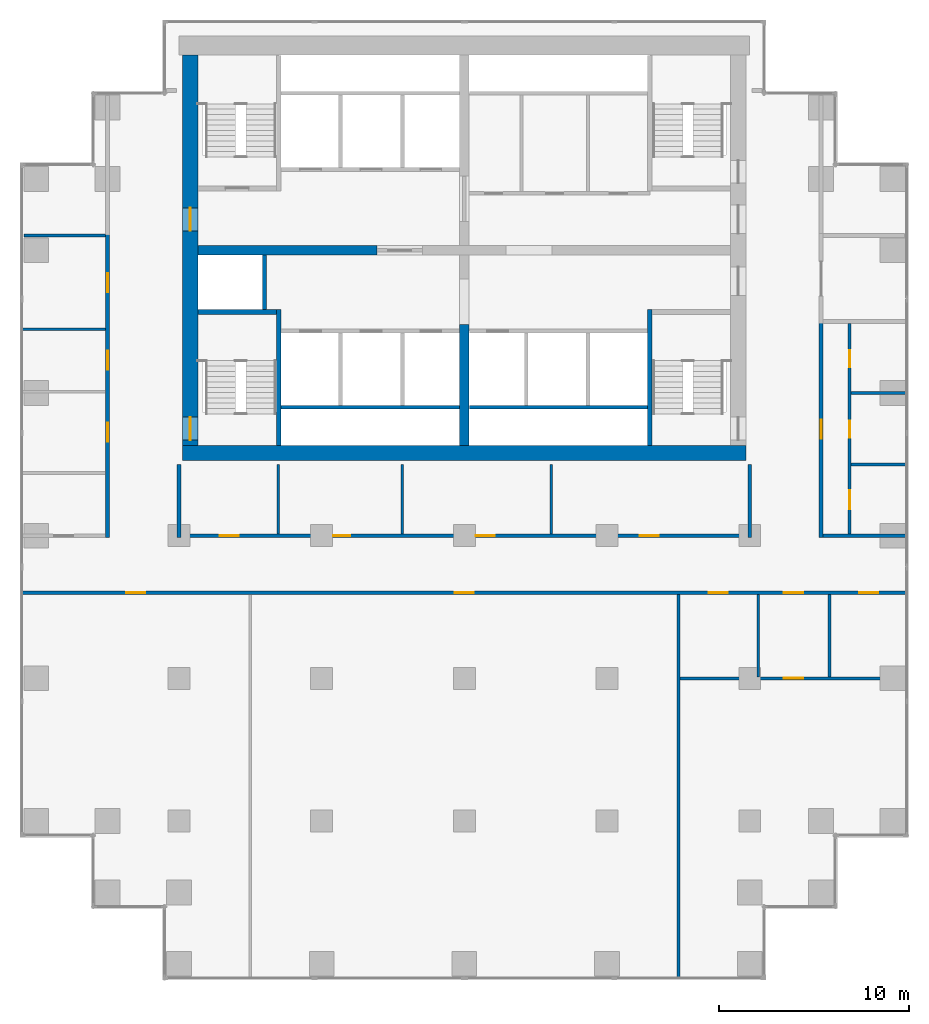
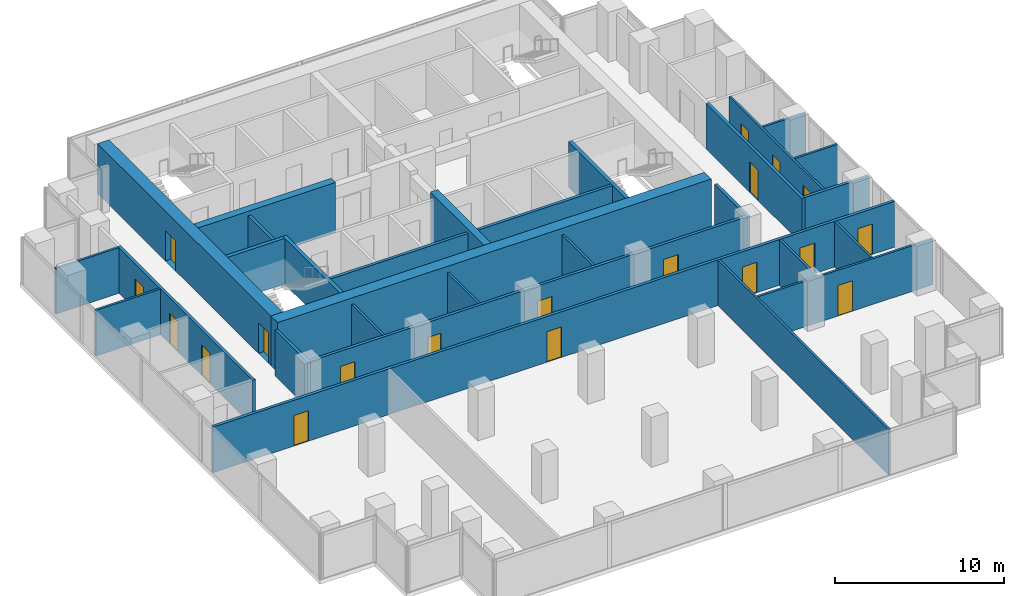
# One storey, part 7 of 10: 29 walls, 19 doors, 19 openings.
"""IFC4 building model written with IfcOpenShell, lengths in metres."""

from ifc_helpers import new_model, si_unit, direction, frame, frame_2d, origin, place, context, subcontext, project, spatial, rectangle, extrude, material, layer, layer_set, type_object, element, fill, save


model = new_model("IFC4")

# Units and contexts
model_context = context("Model", 3, precision=1e-05, world=origin(), true_north=direction((0.0, 1.0)))
body_context = subcontext(model_context, "Body", "Model", "MODEL_VIEW")
ifc_project = project(units=[si_unit("LENGTHUNIT", "METRE"), si_unit("AREAUNIT", "SQUARE_METRE"), si_unit("VOLUMEUNIT", "CUBIC_METRE"), si_unit("PLANEANGLEUNIT", "RADIAN"), si_unit("MASSUNIT", "GRAM", prefix="KILO")], contexts=[model_context])

# Site, building, storey
site_placement = place(None, origin())
site = spatial("IfcSite", under=ifc_project, at=site_placement, CompositionType="ELEMENT")
building_placement = place(site_placement, origin())
building = spatial("IfcBuilding", under=site, at=building_placement, Name="Pilkhan Gate Tower", CompositionType="ELEMENT")
storey_placement = place(building_placement, frame((0.0, 0.0, 110.800048828125)))
storey = spatial("IfcBuildingStorey", under=building, at=storey_placement, Name="L27", CompositionType="ELEMENT", Elevation=110.800048828125)

# Wall
ifc_material_1 = material(Name="Concrete C60/75", Category="concrete")
ifc_layer_1 = layer(ifc_material_1, 0.800048828125)
ifc_layer_set_1 = layer_set([ifc_layer_1], Name="Core wall CW800 C60/75")
wall_type_1 = type_object("IfcWallType", Name="Core wall CW800 C60/75", PredefinedType="SHEAR", material=ifc_layer_set_1)
wall_1_placement = place(storey_placement, frame((60.199951171875, 71.85009765625, 0.0), z_axis=(0.0, 0.0, 1.0), x_axis=(1.0, 0.0, 0.0)))
element("IfcWall", 1, at=wall_1_placement, inside=storey, type_object=wall_type_1, Name="Core wall S L27", PredefinedType="SHEAR", context=body_context, shape_type="SweptSolid", body=[
    extrude(rectangle(XDim=29.60009765625, YDim=0.800048828125, at=frame_2d((14.800048828125, 0.0))), origin(), (0.0, 0.0, 1.0), 3.599853515625),
])

# Wall, openings, doors
wall_2_placement = place(storey_placement, frame((60.60009765625, 92.75, 0.0), z_axis=(0.0, 0.0, 1.0), x_axis=(0.0, -1.0, 0.0)))
wall_2 = element("IfcWall", 2, at=wall_2_placement, inside=storey, type_object=wall_type_1, Name="Core wall W L27", PredefinedType="SHEAR", context=body_context, shape_type="SweptSolid", body=[
    extrude(rectangle(XDim=20.5, YDim=0.800048828125, at=frame_2d((10.25, 0.0))), origin(), (0.0, 0.0, 1.0), 3.599853515625),
])
opening_1_placement = place(wall_2_placement, frame((19.02490234375, 0.0, 0.0)))
opening_1 = element("IfcOpeningElement", 3, at=opening_1_placement, cuts=wall_2, Name="Opening L27-04", PredefinedType="OPENING", context=body_context, shape_type="SweptSolid", body=[
    extrude(rectangle(XDim=1.199951171875, YDim=2.199951171875, at=frame_2d((0.60009765625, 1.10009765625))), frame((0.0, 0.409912109375, 0.0), z_axis=(0.0, -1.0, 0.0), x_axis=(1.0, 0.0, 0.0)), (0.0, 0.0, 1.0), 0.820068359375),
])
opening_2_placement = place(wall_2_placement, frame((8.02490234375, 0.0, 0.0)))
opening_2 = element("IfcOpeningElement", 4, at=opening_2_placement, cuts=wall_2, Name="Opening L27-09", PredefinedType="OPENING", context=body_context, shape_type="SweptSolid", body=[
    extrude(rectangle(XDim=1.199951171875, YDim=2.199951171875, at=frame_2d((0.60009765625, 1.10009765625))), frame((0.0, 0.409912109375, 0.0), z_axis=(0.0, -1.0, 0.0), x_axis=(1.0, 0.0, 0.0)), (0.0, 0.0, 1.0), 0.820068359375),
])
ifc_material_2 = material(Name="Steel door, 120 minute fire resisting, self-closing", Category="steel")
door_type_1 = type_object("IfcDoorType", Name="Firefighting lobby door D10 1200x2200", OperationType="SINGLE_SWING_LEFT", PredefinedType="DOOR", material=ifc_material_2)
door_1_placement = place(opening_2_placement, origin())
door_1 = element("IfcDoor", 5, at=door_1_placement, inside=storey, type_object=door_type_1, Name="Core door", OperationType="SINGLE_SWING_LEFT", OverallHeight=2.199951171875, OverallWidth=1.199951171875, PredefinedType="DOOR", context=body_context, shape_type="SweptSolid", body=[
    extrude(rectangle(XDim=1.199951171875, YDim=2.199951171875, at=frame_2d((0.60009765625, 1.10009765625))), frame((0.0, 0.02490234375, 0.0), z_axis=(0.0, -1.0, 0.0), x_axis=(1.0, 0.0, 0.0)), (0.0, 0.0, 1.0), 0.050048828125),
])
fill(opening_2, door_1)
ifc_material_3 = material(Name="Steel door, 120 minute fire resisting, panic bar", Category="steel")
door_type_2 = type_object("IfcDoorType", Name="Stair door D11 1200x2200", OperationType="SINGLE_SWING_LEFT", PredefinedType="DOOR", material=ifc_material_3)
door_2_placement = place(opening_1_placement, origin())
door_2 = element("IfcDoor", 6, at=door_2_placement, inside=storey, type_object=door_type_2, Name="Stair ST2 door", OperationType="SINGLE_SWING_LEFT", OverallHeight=2.199951171875, OverallWidth=1.199951171875, PredefinedType="DOOR", context=body_context, shape_type="SweptSolid", body=[
    extrude(rectangle(XDim=1.199951171875, YDim=2.199951171875, at=frame_2d((0.60009765625, 1.10009765625))), frame((0.0, 0.02490234375, 0.0), z_axis=(0.0, -1.0, 0.0), x_axis=(1.0, 0.0, 0.0)), (0.0, 0.0, 1.0), 0.050048828125),
])
fill(opening_1, door_2)

ifc_material_4 = material(Name="Dense blockwork", Category="masonry")
ifc_layer_2 = layer(ifc_material_4, 0.199951171875)
ifc_layer_set_2 = layer_set([ifc_layer_2], Name="Corridor wall FW200")
wall_type_2 = type_object("IfcWallType", Name="Corridor wall FW200", PredefinedType="PARTITIONING", material=ifc_layer_set_2)
wall_3_placement = place(storey_placement, frame((51.735107421875, 64.5, 0.0), z_axis=(0.0, 0.0, 1.0), x_axis=(1.0, 0.0, 0.0)))
wall_3 = element("IfcWall", 7, at=wall_3_placement, inside=storey, type_object=wall_type_2, Name="Partition L27", PredefinedType="PARTITIONING", context=body_context, shape_type="SweptSolid", body=[
    extrude(rectangle(XDim=46.52978515625, YDim=0.199951171875, at=frame_2d((23.264892578125, 0.0))), origin(), (0.0, 0.0, 1.0), 3.300048828125),
])
opening_3_placement = place(wall_3_placement, frame((40.06494140625, 0.0, 0.0)))
opening_3 = element("IfcOpeningElement", 8, at=opening_3_placement, cuts=wall_3, Name="Opening L27-06", PredefinedType="OPENING", context=body_context, shape_type="SweptSolid", body=[
    extrude(rectangle(XDim=1.0, YDim=2.199951171875, at=frame_2d((0.5, 1.10009765625))), frame((0.0, 0.10986328125, 0.0), z_axis=(0.0, -1.0, 0.0), x_axis=(1.0, 0.0, 0.0)), (0.0, 0.0, 1.0), 0.219970703125),
])
opening_4_placement = place(wall_3_placement, frame((5.5, 0.0, 0.0)))
opening_4 = element("IfcOpeningElement", 9, at=opening_4_placement, cuts=wall_3, Name="Opening L27-14", PredefinedType="OPENING", context=body_context, shape_type="SweptSolid", body=[
    extrude(rectangle(XDim=1.0, YDim=2.199951171875, at=frame_2d((0.5, 1.10009765625))), frame((0.0, 0.10986328125, 0.0), z_axis=(0.0, -1.0, 0.0), x_axis=(1.0, 0.0, 0.0)), (0.0, 0.0, 1.0), 0.219970703125),
])
opening_5_placement = place(wall_3_placement, frame((22.764892578125, 0.0, 0.0)))
opening_5 = element("IfcOpeningElement", 10, at=opening_5_placement, cuts=wall_3, Name="Opening L27-15", PredefinedType="OPENING", context=body_context, shape_type="SweptSolid", body=[
    extrude(rectangle(XDim=1.0, YDim=2.199951171875, at=frame_2d((0.5, 1.10009765625))), frame((0.0, 0.10986328125, 0.0), z_axis=(0.0, -1.0, 0.0), x_axis=(1.0, 0.0, 0.0)), (0.0, 0.0, 1.0), 0.219970703125),
])
opening_6_placement = place(wall_3_placement, frame((36.114990234375, 0.0, 0.0)))
opening_6 = element("IfcOpeningElement", 11, at=opening_6_placement, cuts=wall_3, Name="Opening L27-16", PredefinedType="OPENING", context=body_context, shape_type="SweptSolid", body=[
    extrude(rectangle(XDim=1.0, YDim=2.199951171875, at=frame_2d((0.5, 1.10009765625))), frame((0.0, 0.10986328125, 0.0), z_axis=(0.0, -1.0, 0.0), x_axis=(1.0, 0.0, 0.0)), (0.0, 0.0, 1.0), 0.219970703125),
])
opening_7_placement = place(wall_3_placement, frame((44.014892578125, 0.0, 0.0)))
opening_7 = element("IfcOpeningElement", 12, at=opening_7_placement, cuts=wall_3, Name="Opening L27-17", PredefinedType="OPENING", context=body_context, shape_type="SweptSolid", body=[
    extrude(rectangle(XDim=1.0, YDim=2.199951171875, at=frame_2d((0.5, 1.10009765625))), frame((0.0, 0.10986328125, 0.0), z_axis=(0.0, -1.0, 0.0), x_axis=(1.0, 0.0, 0.0)), (0.0, 0.0, 1.0), 0.219970703125),
])
ifc_material_5 = material(Name="Timber flush door, 30 minute fire resisting", Category="wood")
door_type_3 = type_object("IfcDoorType", Name="Room door D03 1000x2200", OperationType="SINGLE_SWING_LEFT", PredefinedType="DOOR", material=ifc_material_5)
door_3_placement = place(opening_3_placement, origin())
door_3 = element("IfcDoor", 13, at=door_3_placement, inside=storey, type_object=door_type_3, Name="Room door", OperationType="SINGLE_SWING_RIGHT", OverallHeight=2.199951171875, OverallWidth=1.0, PredefinedType="DOOR", context=body_context, shape_type="SweptSolid", body=[
    extrude(rectangle(XDim=1.0, YDim=2.199951171875, at=frame_2d((0.5, 1.10009765625))), frame((0.0, 0.02490234375, 0.0), z_axis=(0.0, -1.0, 0.0), x_axis=(1.0, 0.0, 0.0)), (0.0, 0.0, 1.0), 0.050048828125),
])
fill(opening_3, door_3)
door_4_placement = place(opening_4_placement, origin())
door_4 = element("IfcDoor", 14, at=door_4_placement, inside=storey, type_object=door_type_3, Name="Room door", OperationType="SINGLE_SWING_LEFT", OverallHeight=2.199951171875, OverallWidth=1.0, PredefinedType="DOOR", context=body_context, shape_type="SweptSolid", body=[
    extrude(rectangle(XDim=1.0, YDim=2.199951171875, at=frame_2d((0.5, 1.10009765625))), frame((0.0, 0.02490234375, 0.0), z_axis=(0.0, -1.0, 0.0), x_axis=(1.0, 0.0, 0.0)), (0.0, 0.0, 1.0), 0.050048828125),
])
fill(opening_4, door_4)
door_5_placement = place(opening_5_placement, origin())
door_5 = element("IfcDoor", 15, at=door_5_placement, inside=storey, type_object=door_type_3, Name="Room door", OperationType="SINGLE_SWING_LEFT", OverallHeight=2.199951171875, OverallWidth=1.0, PredefinedType="DOOR", context=body_context, shape_type="SweptSolid", body=[
    extrude(rectangle(XDim=1.0, YDim=2.199951171875, at=frame_2d((0.5, 1.10009765625))), frame((0.0, 0.02490234375, 0.0), z_axis=(0.0, -1.0, 0.0), x_axis=(1.0, 0.0, 0.0)), (0.0, 0.0, 1.0), 0.050048828125),
])
fill(opening_5, door_5)
door_6_placement = place(opening_6_placement, origin())
door_6 = element("IfcDoor", 16, at=door_6_placement, inside=storey, type_object=door_type_3, Name="Room door", OperationType="SINGLE_SWING_RIGHT", OverallHeight=2.199951171875, OverallWidth=1.0, PredefinedType="DOOR", context=body_context, shape_type="SweptSolid", body=[
    extrude(rectangle(XDim=1.0, YDim=2.199951171875, at=frame_2d((0.5, 1.10009765625))), frame((0.0, 0.02490234375, 0.0), z_axis=(0.0, -1.0, 0.0), x_axis=(1.0, 0.0, 0.0)), (0.0, 0.0, 1.0), 0.050048828125),
])
fill(opening_6, door_6)
door_7_placement = place(opening_7_placement, origin())
door_7 = element("IfcDoor", 17, at=door_7_placement, inside=storey, type_object=door_type_3, Name="Room door", OperationType="SINGLE_SWING_LEFT", OverallHeight=2.199951171875, OverallWidth=1.0, PredefinedType="DOOR", context=body_context, shape_type="SweptSolid", body=[
    extrude(rectangle(XDim=1.0, YDim=2.199951171875, at=frame_2d((0.5, 1.10009765625))), frame((0.0, 0.02490234375, 0.0), z_axis=(0.0, -1.0, 0.0), x_axis=(1.0, 0.0, 0.0)), (0.0, 0.0, 1.0), 0.050048828125),
])
fill(opening_7, door_7)

wall_4_placement = place(storey_placement, frame((60.10009765625, 67.5, 0.0), z_axis=(0.0, 0.0, 1.0), x_axis=(1.0, 0.0, 0.0)))
wall_4 = element("IfcWall", 18, at=wall_4_placement, inside=storey, type_object=wall_type_2, Name="Partition L27", PredefinedType="PARTITIONING", context=body_context, shape_type="SweptSolid", body=[
    extrude(rectangle(XDim=29.7998046875, YDim=0.199951171875, at=frame_2d((14.89990234375, 0.0))), origin(), (0.0, 0.0, 1.0), 3.300048828125),
])
opening_8_placement = place(wall_4_placement, frame((2.050048828125, 0.0, 0.0)))
opening_8 = element("IfcOpeningElement", 19, at=opening_8_placement, cuts=wall_4, Name="Opening L27-27", PredefinedType="OPENING", context=body_context, shape_type="SweptSolid", body=[
    extrude(rectangle(XDim=1.0, YDim=2.199951171875, at=frame_2d((0.5, 1.10009765625))), frame((0.0, 0.10986328125, 0.0), z_axis=(0.0, -1.0, 0.0), x_axis=(1.0, 0.0, 0.0)), (0.0, 0.0, 1.0), 0.219970703125),
])
opening_9_placement = place(wall_4_placement, frame((8.01708984375, 0.0, 0.0)))
opening_9 = element("IfcOpeningElement", 20, at=opening_9_placement, cuts=wall_4, Name="Opening L27-28", PredefinedType="OPENING", context=body_context, shape_type="SweptSolid", body=[
    extrude(rectangle(XDim=0.89990234375, YDim=2.199951171875, at=frame_2d((0.449951171875, 1.10009765625))), frame((0.0, 0.10986328125, 0.0), z_axis=(0.0, -1.0, 0.0), x_axis=(1.0, 0.0, 0.0)), (0.0, 0.0, 1.0), 0.219970703125),
])
opening_10_placement = place(wall_4_placement, frame((15.489013671875, 0.0, 0.0)))
opening_10 = element("IfcOpeningElement", 21, at=opening_10_placement, cuts=wall_4, Name="Opening L27-29", PredefinedType="OPENING", context=body_context, shape_type="SweptSolid", body=[
    extrude(rectangle(XDim=1.0, YDim=2.199951171875, at=frame_2d((0.5, 1.10009765625))), frame((0.0, 0.10986328125, 0.0), z_axis=(0.0, -1.0, 0.0), x_axis=(1.0, 0.0, 0.0)), (0.0, 0.0, 1.0), 0.219970703125),
])
opening_11_placement = place(wall_4_placement, frame((24.114990234375, 0.0, 0.0)))
opening_11 = element("IfcOpeningElement", 22, at=opening_11_placement, cuts=wall_4, Name="Opening L27-30", PredefinedType="OPENING", context=body_context, shape_type="SweptSolid", body=[
    extrude(rectangle(XDim=1.0, YDim=2.199951171875, at=frame_2d((0.5, 1.10009765625))), frame((0.0, 0.10986328125, 0.0), z_axis=(0.0, -1.0, 0.0), x_axis=(1.0, 0.0, 0.0)), (0.0, 0.0, 1.0), 0.219970703125),
])
door_8_placement = place(opening_8_placement, origin())
door_8 = element("IfcDoor", 23, at=door_8_placement, inside=storey, type_object=door_type_3, Name="Room door", OperationType="SINGLE_SWING_LEFT", OverallHeight=2.199951171875, OverallWidth=1.0, PredefinedType="DOOR", context=body_context, shape_type="SweptSolid", body=[
    extrude(rectangle(XDim=1.0, YDim=2.199951171875, at=frame_2d((0.5, 1.10009765625))), frame((0.0, 0.02490234375, 0.0), z_axis=(0.0, -1.0, 0.0), x_axis=(1.0, 0.0, 0.0)), (0.0, 0.0, 1.0), 0.050048828125),
])
fill(opening_8, door_8)
door_9_placement = place(opening_10_placement, origin())
door_9 = element("IfcDoor", 24, at=door_9_placement, inside=storey, type_object=door_type_3, Name="Room door", OperationType="SINGLE_SWING_LEFT", OverallHeight=2.199951171875, OverallWidth=1.0, PredefinedType="DOOR", context=body_context, shape_type="SweptSolid", body=[
    extrude(rectangle(XDim=1.0, YDim=2.199951171875, at=frame_2d((0.5, 1.10009765625))), frame((0.0, 0.02490234375, 0.0), z_axis=(0.0, -1.0, 0.0), x_axis=(1.0, 0.0, 0.0)), (0.0, 0.0, 1.0), 0.050048828125),
])
fill(opening_10, door_9)
door_10_placement = place(opening_11_placement, origin())
door_10 = element("IfcDoor", 25, at=door_10_placement, inside=storey, type_object=door_type_3, Name="Room door", OperationType="SINGLE_SWING_LEFT", OverallHeight=2.199951171875, OverallWidth=1.0, PredefinedType="DOOR", context=body_context, shape_type="SweptSolid", body=[
    extrude(rectangle(XDim=1.0, YDim=2.199951171875, at=frame_2d((0.5, 1.10009765625))), frame((0.0, 0.02490234375, 0.0), z_axis=(0.0, -1.0, 0.0), x_axis=(1.0, 0.0, 0.0)), (0.0, 0.0, 1.0), 0.050048828125),
])
fill(opening_11, door_10)
ifc_material_6 = material(Name="Timber flush door, 60 minute fire resisting, self-closing", Category="wood")
door_type_4 = type_object("IfcDoorType", Name="Store door D05 900x2200", OperationType="SINGLE_SWING_LEFT", PredefinedType="DOOR", material=ifc_material_6)
door_11_placement = place(opening_9_placement, origin())
door_11 = element("IfcDoor", 26, at=door_11_placement, inside=storey, type_object=door_type_4, Name="Store door", OperationType="SINGLE_SWING_LEFT", OverallHeight=2.199951171875, OverallWidth=0.89990234375, PredefinedType="DOOR", context=body_context, shape_type="SweptSolid", body=[
    extrude(rectangle(XDim=0.89990234375, YDim=2.199951171875, at=frame_2d((0.449951171875, 1.10009765625))), frame((0.0, 0.02490234375, 0.0), z_axis=(0.0, -1.0, 0.0), x_axis=(1.0, 0.0, 0.0)), (0.0, 0.0, 1.0), 0.050048828125),
])
fill(opening_9, door_11)

# Wall
wall_5_placement = place(storey_placement, frame((93.85009765625, 67.5, 0.0), z_axis=(0.0, 0.0, 1.0), x_axis=(1.0, 0.0, 0.0)))
element("IfcWall", 27, at=wall_5_placement, inside=storey, type_object=wall_type_2, Name="Partition L27", PredefinedType="PARTITIONING", context=body_context, shape_type="SweptSolid", body=[
    extrude(rectangle(XDim=4.414794921875, YDim=0.199951171875, at=frame_2d((2.20751953125, 0.0))), origin(), (0.0, 0.0, 1.0), 3.300048828125),
])

# Wall, openings, doors
wall_6_placement = place(storey_placement, frame((56.25, 67.39990234375, 0.0), z_axis=(0.0, 0.0, 1.0), x_axis=(0.0, 1.0, 0.0)))
wall_6 = element("IfcWall", 28, at=wall_6_placement, inside=storey, type_object=wall_type_2, Name="Partition L27", PredefinedType="PARTITIONING", context=body_context, shape_type="SweptSolid", body=[
    extrude(rectangle(XDim=15.955078125, YDim=0.199951171875, at=frame_2d((7.9775390625, 0.0))), origin(), (0.0, 0.0, 1.0), 3.300048828125),
])
opening_12_placement = place(wall_6_placement, frame((5.0380859375, 0.0, 0.0)))
opening_12 = element("IfcOpeningElement", 29, at=opening_12_placement, cuts=wall_6, Name="Opening L27-20", PredefinedType="OPENING", context=body_context, shape_type="SweptSolid", body=[
    extrude(rectangle(XDim=1.0, YDim=2.199951171875, at=frame_2d((0.5, 1.10009765625))), frame((0.0, 0.10986328125, 0.0), z_axis=(0.0, -1.0, 0.0), x_axis=(1.0, 0.0, 0.0)), (0.0, 0.0, 1.0), 0.219970703125),
])
opening_13_placement = place(wall_6_placement, frame((8.81103515625, 0.0, 0.0)))
opening_13 = element("IfcOpeningElement", 30, at=opening_13_placement, cuts=wall_6, Name="Opening L27-21", PredefinedType="OPENING", context=body_context, shape_type="SweptSolid", body=[
    extrude(rectangle(XDim=1.0, YDim=2.199951171875, at=frame_2d((0.5, 1.10009765625))), frame((0.0, 0.10986328125, 0.0), z_axis=(0.0, -1.0, 0.0), x_axis=(1.0, 0.0, 0.0)), (0.0, 0.0, 1.0), 0.219970703125),
])
opening_14_placement = place(wall_6_placement, frame((12.89892578125, 0.0, 0.0)))
opening_14 = element("IfcOpeningElement", 31, at=opening_14_placement, cuts=wall_6, Name="Opening L27-22", PredefinedType="OPENING", context=body_context, shape_type="SweptSolid", body=[
    extrude(rectangle(XDim=1.0, YDim=2.199951171875, at=frame_2d((0.5, 1.10009765625))), frame((0.0, 0.10986328125, 0.0), z_axis=(0.0, -1.0, 0.0), x_axis=(1.0, 0.0, 0.0)), (0.0, 0.0, 1.0), 0.219970703125),
])
door_12_placement = place(opening_12_placement, origin())
door_12 = element("IfcDoor", 32, at=door_12_placement, inside=storey, type_object=door_type_3, Name="Room door", OperationType="SINGLE_SWING_RIGHT", OverallHeight=2.199951171875, OverallWidth=1.0, PredefinedType="DOOR", context=body_context, shape_type="SweptSolid", body=[
    extrude(rectangle(XDim=1.0, YDim=2.199951171875, at=frame_2d((0.5, 1.10009765625))), frame((0.0, 0.02490234375, 0.0), z_axis=(0.0, -1.0, 0.0), x_axis=(1.0, 0.0, 0.0)), (0.0, 0.0, 1.0), 0.050048828125),
])
fill(opening_12, door_12)
door_13_placement = place(opening_13_placement, origin())
door_13 = element("IfcDoor", 33, at=door_13_placement, inside=storey, type_object=door_type_3, Name="Room door", OperationType="SINGLE_SWING_LEFT", OverallHeight=2.199951171875, OverallWidth=1.0, PredefinedType="DOOR", context=body_context, shape_type="SweptSolid", body=[
    extrude(rectangle(XDim=1.0, YDim=2.199951171875, at=frame_2d((0.5, 1.10009765625))), frame((0.0, 0.02490234375, 0.0), z_axis=(0.0, -1.0, 0.0), x_axis=(1.0, 0.0, 0.0)), (0.0, 0.0, 1.0), 0.050048828125),
])
fill(opening_13, door_13)
door_14_placement = place(opening_14_placement, origin())
door_14 = element("IfcDoor", 34, at=door_14_placement, inside=storey, type_object=door_type_3, Name="Room door", OperationType="SINGLE_SWING_RIGHT", OverallHeight=2.199951171875, OverallWidth=1.0, PredefinedType="DOOR", context=body_context, shape_type="SweptSolid", body=[
    extrude(rectangle(XDim=1.0, YDim=2.199951171875, at=frame_2d((0.5, 1.10009765625))), frame((0.0, 0.02490234375, 0.0), z_axis=(0.0, -1.0, 0.0), x_axis=(1.0, 0.0, 0.0)), (0.0, 0.0, 1.0), 0.050048828125),
])
fill(opening_14, door_14)

# Walls
for number, where, z_axis, x_axis, name in (
    (35, (60.0, 67.39990234375, 0.0), (0.0, 0.0, 1.0), (0.0, 1.0, 0.0), "Partition L27"),
    (36, (90.0, 67.39990234375, 0.0), (0.0, 0.0, 1.0), (0.0, 1.0, 0.0), "Partition L27"),
):
    element("IfcWall", number, at=place(storey_placement, frame(where, z_axis=z_axis, x_axis=x_axis)), inside=storey, type_object=wall_type_2, Name=name, PredefinedType="PARTITIONING", context=body_context, shape_type="SweptSolid", body=[
        extrude(rectangle(XDim=3.85009765625, YDim=0.199951171875, at=frame_2d((1.925048828125, 0.0))), origin(), (0.0, 0.0, 1.0), 3.300048828125),
    ])

# Wall, opening, door
wall_7_placement = place(storey_placement, frame((93.75, 67.39990234375, 0.0), z_axis=(0.0, 0.0, 1.0), x_axis=(0.0, 1.0, 0.0)))
wall_7 = element("IfcWall", 37, at=wall_7_placement, inside=storey, type_object=wall_type_2, Name="Partition L27", PredefinedType="PARTITIONING", context=body_context, shape_type="SweptSolid", body=[
    extrude(rectangle(XDim=11.35009765625, YDim=0.199951171875, at=frame_2d((5.675048828125, 0.0))), origin(), (0.0, 0.0, 1.0), 3.300048828125),
])
opening_15_placement = place(wall_7_placement, frame((5.199951171875, 0.0, 0.0)))
opening_15 = element("IfcOpeningElement", 38, at=opening_15_placement, cuts=wall_7, Name="Opening L27-07", PredefinedType="OPENING", context=body_context, shape_type="SweptSolid", body=[
    extrude(rectangle(XDim=1.0, YDim=2.199951171875, at=frame_2d((0.5, 1.10009765625))), frame((0.0, 0.10986328125, 0.0), z_axis=(0.0, -1.0, 0.0), x_axis=(1.0, 0.0, 0.0)), (0.0, 0.0, 1.0), 0.219970703125),
])
door_15_placement = place(opening_15_placement, origin())
door_15 = element("IfcDoor", 39, at=door_15_placement, inside=storey, type_object=door_type_3, Name="Toilet lobby door", OperationType="SINGLE_SWING_LEFT", OverallHeight=2.199951171875, OverallWidth=1.0, PredefinedType="DOOR", context=body_context, shape_type="SweptSolid", body=[
    extrude(rectangle(XDim=1.0, YDim=2.199951171875, at=frame_2d((0.5, 1.10009765625))), frame((0.0, 0.02490234375, 0.0), z_axis=(0.0, -1.0, 0.0), x_axis=(1.0, 0.0, 0.0)), (0.0, 0.0, 1.0), 0.050048828125),
])
fill(opening_15, door_15)

ifc_material_7 = material(Name="Blockwork partition, plastered both sides", Category="masonry")
ifc_layer_3 = layer(ifc_material_7, 0.14990234375)
ifc_layer_set_3 = layer_set([ifc_layer_3], Name="Partition PW150")
wall_type_3 = type_object("IfcWallType", Name="Partition PW150", PredefinedType="PARTITIONING", material=ifc_layer_set_3)
wall_8_placement = place(storey_placement, frame((86.324951171875, 60.0, 0.0), z_axis=(0.0, 0.0, 1.0), x_axis=(1.0, 0.0, 0.0)))
wall_8 = element("IfcWall", 40, at=wall_8_placement, inside=storey, type_object=wall_type_3, Name="Partition L27", PredefinedType="PARTITIONING", context=body_context, shape_type="SweptSolid", body=[
    extrude(rectangle(XDim=11.93994140625, YDim=0.14990234375, at=frame_2d((5.969970703125, 0.0))), origin(), (0.0, 0.0, 1.0), 3.300048828125),
])
opening_16_placement = place(wall_8_placement, frame((5.47509765625, 0.0, 0.0)))
opening_16 = element("IfcOpeningElement", 41, at=opening_16_placement, cuts=wall_8, Name="Opening L27-18", PredefinedType="OPENING", context=body_context, shape_type="SweptSolid", body=[
    extrude(rectangle(XDim=1.0, YDim=2.199951171875, at=frame_2d((0.5, 1.10009765625))), frame((0.0, 0.0849609375, 0.0), z_axis=(0.0, -1.0, 0.0), x_axis=(1.0, 0.0, 0.0)), (0.0, 0.0, 1.0), 0.169921875),
])
door_16_placement = place(opening_16_placement, origin())
door_16 = element("IfcDoor", 42, at=door_16_placement, inside=storey, type_object=door_type_3, Name="Room door", OperationType="SINGLE_SWING_LEFT", OverallHeight=2.199951171875, OverallWidth=1.0, PredefinedType="DOOR", context=body_context, shape_type="SweptSolid", body=[
    extrude(rectangle(XDim=1.0, YDim=2.199951171875, at=frame_2d((0.5, 1.10009765625))), frame((0.0, 0.02490234375, 0.0), z_axis=(0.0, -1.0, 0.0), x_axis=(1.0, 0.0, 0.0)), (0.0, 0.0, 1.0), 0.050048828125),
])
fill(opening_16, door_16)

# Walls
for number, where, z_axis, x_axis, name in (
    (43, (95.324951171875, 71.25, 0.0), (0.0, 0.0, 1.0), (1.0, 0.0, 0.0), "Partition L27"),
    (44, (95.324951171875, 75.0, 0.0), (0.0, 0.0, 1.0), (1.0, 0.0, 0.0), "Partition L27"),
):
    element("IfcWall", number, at=place(storey_placement, frame(where, z_axis=z_axis, x_axis=x_axis)), inside=storey, type_object=wall_type_3, Name=name, PredefinedType="PARTITIONING", context=body_context, shape_type="SweptSolid", body=[
        extrude(rectangle(XDim=2.93994140625, YDim=0.14990234375, at=frame_2d((1.469970703125, 0.0))), origin(), (0.0, 0.0, 1.0), 3.300048828125),
    ])
wall_9_placement = place(storey_placement, frame((51.735107421875, 78.34912109375, 0.0), z_axis=(0.0, 0.0, 1.0), x_axis=(1.0, 0.0, 0.0)))
element("IfcWall", 45, at=wall_9_placement, inside=storey, type_object=wall_type_3, Name="Partition L27", PredefinedType="PARTITIONING", context=body_context, shape_type="SweptSolid", body=[
    extrude(rectangle(XDim=4.414794921875, YDim=0.14990234375, at=frame_2d((2.20751953125, 0.0))), origin(), (0.0, 0.0, 1.0), 3.300048828125),
])
wall_10_placement = place(storey_placement, frame((51.85498046875, 83.280029296875, 0.0), z_axis=(0.0, 0.0, 1.0), x_axis=(1.0, 0.0, 0.0)))
element("IfcWall", 46, at=wall_10_placement, inside=storey, type_object=wall_type_3, Name="Partition L27", PredefinedType="PARTITIONING", context=body_context, shape_type="SweptSolid", body=[
    extrude(rectangle(XDim=4.294921875, YDim=0.14990234375, at=frame_2d((2.1474609375, 0.0))), origin(), (0.0, 0.0, 1.0), 3.300048828125),
])
for number, where, z_axis, x_axis, name in (
    (47, (65.217041015625, 67.60009765625, 0.0), (0.0, 0.0, 1.0), (0.0, 1.0, 0.0), "Partition L27"),
    (48, (71.739013671875, 67.60009765625, 0.0), (0.0, 0.0, 1.0), (0.0, 1.0, 0.0), "Partition L27"),
    (49, (79.56494140625, 67.60009765625, 0.0), (0.0, 0.0, 1.0), (0.0, 1.0, 0.0), "Partition L27"),
):
    element("IfcWall", number, at=place(storey_placement, frame(where, z_axis=z_axis, x_axis=x_axis)), inside=storey, type_object=wall_type_3, Name=name, PredefinedType="PARTITIONING", context=body_context, shape_type="SweptSolid", body=[
        extrude(rectangle(XDim=3.64990234375, YDim=0.14990234375, at=frame_2d((1.824951171875, 0.0))), origin(), (0.0, 0.0, 1.0), 3.300048828125),
    ])
wall_11_placement = place(storey_placement, frame((86.25, 44.235107421875, 0.0), z_axis=(0.0, 0.0, 1.0), x_axis=(0.0, 1.0, 0.0)))
element("IfcWall", 50, at=wall_11_placement, inside=storey, type_object=wall_type_3, Name="Partition L27", PredefinedType="PARTITIONING", context=body_context, shape_type="SweptSolid", body=[
    extrude(rectangle(XDim=20.164794921875, YDim=0.14990234375, at=frame_2d((10.08251953125, 0.0))), origin(), (0.0, 0.0, 1.0), 3.300048828125),
])
for number, where, z_axis, x_axis, name in (
    (51, (90.449951171875, 60.074951171875, 0.0), (0.0, 0.0, 1.0), (0.0, 1.0, 0.0), "Partition L27"),
    (52, (94.199951171875, 60.074951171875, 0.0), (0.0, 0.0, 1.0), (0.0, 1.0, 0.0), "Partition L27"),
):
    element("IfcWall", number, at=place(storey_placement, frame(where, z_axis=z_axis, x_axis=x_axis)), inside=storey, type_object=wall_type_3, Name=name, PredefinedType="PARTITIONING", context=body_context, shape_type="SweptSolid", body=[
        extrude(rectangle(XDim=4.324951171875, YDim=0.14990234375, at=frame_2d((2.16259765625, 0.0))), origin(), (0.0, 0.0, 1.0), 3.300048828125),
    ])

# Wall, openings, doors
wall_12_placement = place(storey_placement, frame((95.25, 67.60009765625, 0.0), z_axis=(0.0, 0.0, 1.0), x_axis=(0.0, 1.0, 0.0)))
wall_12 = element("IfcWall", 53, at=wall_12_placement, inside=storey, type_object=wall_type_3, Name="Partition L27", PredefinedType="PARTITIONING", context=body_context, shape_type="SweptSolid", body=[
    extrude(rectangle(XDim=11.0498046875, YDim=0.14990234375, at=frame_2d((5.52490234375, 0.0))), origin(), (0.0, 0.0, 1.0), 3.300048828125),
])
opening_17_placement = place(wall_12_placement, frame((1.300048828125, 0.0, 0.0)))
opening_17 = element("IfcOpeningElement", 54, at=opening_17_placement, cuts=wall_12, Name="Opening L27-23", PredefinedType="OPENING", context=body_context, shape_type="SweptSolid", body=[
    extrude(rectangle(XDim=1.0, YDim=2.199951171875, at=frame_2d((0.5, 1.10009765625))), frame((0.0, 0.0849609375, 0.0), z_axis=(0.0, -1.0, 0.0), x_axis=(1.0, 0.0, 0.0)), (0.0, 0.0, 1.0), 0.169921875),
])
opening_18_placement = place(wall_12_placement, frame((5.050048828125, 0.0, 0.0)))
opening_18 = element("IfcOpeningElement", 55, at=opening_18_placement, cuts=wall_12, Name="Opening L27-24", PredefinedType="OPENING", context=body_context, shape_type="SweptSolid", body=[
    extrude(rectangle(XDim=0.89990234375, YDim=2.199951171875, at=frame_2d((0.449951171875, 1.10009765625))), frame((0.0, 0.0849609375, 0.0), z_axis=(0.0, -1.0, 0.0), x_axis=(1.0, 0.0, 0.0)), (0.0, 0.0, 1.0), 0.169921875),
])
opening_19_placement = place(wall_12_placement, frame((8.75, 0.0, 0.0)))
opening_19 = element("IfcOpeningElement", 56, at=opening_19_placement, cuts=wall_12, Name="Opening L27-25", PredefinedType="OPENING", context=body_context, shape_type="SweptSolid", body=[
    extrude(rectangle(XDim=0.89990234375, YDim=2.199951171875, at=frame_2d((0.449951171875, 1.10009765625))), frame((0.0, 0.0849609375, 0.0), z_axis=(0.0, -1.0, 0.0), x_axis=(1.0, 0.0, 0.0)), (0.0, 0.0, 1.0), 0.169921875),
])
ifc_material_8 = material(Name="Timber flush door, outward opening, 30 minute fire resisting", Category="wood")
door_type_5 = type_object("IfcDoorType", Name="Accessible toilet door D07 1000x2200", OperationType="SINGLE_SWING_LEFT", PredefinedType="DOOR", material=ifc_material_8)
door_17_placement = place(opening_17_placement, origin())
door_17 = element("IfcDoor", 57, at=door_17_placement, inside=storey, type_object=door_type_5, Name="Accessible toilet door", OperationType="SINGLE_SWING_LEFT", OverallHeight=2.199951171875, OverallWidth=1.0, PredefinedType="DOOR", context=body_context, shape_type="SweptSolid", body=[
    extrude(rectangle(XDim=1.0, YDim=2.199951171875, at=frame_2d((0.5, 1.10009765625))), frame((0.0, 0.02490234375, 0.0), z_axis=(0.0, -1.0, 0.0), x_axis=(1.0, 0.0, 0.0)), (0.0, 0.0, 1.0), 0.050048828125),
])
fill(opening_17, door_17)
door_type_6 = type_object("IfcDoorType", Name="Toilet door D06 900x2200", OperationType="SINGLE_SWING_LEFT", PredefinedType="DOOR", material=ifc_material_5)
door_18_placement = place(opening_18_placement, origin())
door_18 = element("IfcDoor", 58, at=door_18_placement, inside=storey, type_object=door_type_6, Name="Toilet door", OperationType="SINGLE_SWING_RIGHT", OverallHeight=2.199951171875, OverallWidth=0.89990234375, PredefinedType="DOOR", context=body_context, shape_type="SweptSolid", body=[
    extrude(rectangle(XDim=0.89990234375, YDim=2.199951171875, at=frame_2d((0.449951171875, 1.10009765625))), frame((0.0, 0.02490234375, 0.0), z_axis=(0.0, -1.0, 0.0), x_axis=(1.0, 0.0, 0.0)), (0.0, 0.0, 1.0), 0.050048828125),
])
fill(opening_18, door_18)
door_19_placement = place(opening_19_placement, origin())
door_19 = element("IfcDoor", 59, at=door_19_placement, inside=storey, type_object=door_type_6, Name="Toilet door", OperationType="SINGLE_SWING_LEFT", OverallHeight=2.199951171875, OverallWidth=0.89990234375, PredefinedType="DOOR", context=body_context, shape_type="SweptSolid", body=[
    extrude(rectangle(XDim=0.89990234375, YDim=2.199951171875, at=frame_2d((0.449951171875, 1.10009765625))), frame((0.0, 0.02490234375, 0.0), z_axis=(0.0, -1.0, 0.0), x_axis=(1.0, 0.0, 0.0)), (0.0, 0.0, 1.0), 0.050048828125),
])
fill(opening_19, door_19)

# Walls
ifc_material_9 = material(Name="Reinforced blockwork shaft wall, 120 minute fire resisting", Category="masonry")
ifc_layer_4 = layer(ifc_material_9, 0.199951171875)
ifc_layer_set_4 = layer_set([ifc_layer_4], Name="Shaft wall SW200")
wall_type_4 = type_object("IfcWallType", Name="Shaft wall SW200", PredefinedType="PARTITIONING", material=ifc_layer_set_4)
for number, where, z_axis, x_axis, name in (
    (60, (65.375, 74.25, 0.0), (0.0, 0.0, 1.0), (1.0, 0.0, 0.0), "Partition L27"),
    (61, (75.260009765625, 74.25, 0.0), (0.0, 0.0, 1.0), (1.0, 0.0, 0.0), "Partition L27"),
):
    element("IfcWall", number, at=place(storey_placement, frame(where, z_axis=z_axis, x_axis=x_axis)), inside=storey, type_object=wall_type_4, Name=name, PredefinedType="PARTITIONING", context=body_context, shape_type="SweptSolid", body=[
        extrude(rectangle(XDim=9.364990234375, YDim=0.199951171875, at=frame_2d((4.6826171875, 0.0))), origin(), (0.0, 0.0, 1.0), 3.300048828125),
    ])
wall_13_placement = place(storey_placement, frame((64.5, 79.375, 0.0), z_axis=(0.0, 0.0, 1.0), x_axis=(0.0, 1.0, 0.0)))
element("IfcWall", 62, at=wall_13_placement, inside=storey, type_object=wall_type_4, Name="Partition L27", PredefinedType="PARTITIONING", context=body_context, shape_type="SweptSolid", body=[
    extrude(rectangle(XDim=2.864990234375, YDim=0.199951171875, at=frame_2d((1.4326171875, 0.0))), origin(), (0.0, 0.0, 1.0), 3.300048828125),
])
ifc_layer_5 = layer(ifc_material_1, 0.5)
ifc_layer_set_5 = layer_set([ifc_layer_5], Name="Spine wall SW500 C60/75")
wall_type_5 = type_object("IfcWallType", Name="Spine wall SW500 C60/75", PredefinedType="SHEAR", material=ifc_layer_set_5)
wall_14_placement = place(storey_placement, frame((61.0, 82.5, 0.0), z_axis=(0.0, 0.0, 1.0), x_axis=(1.0, 0.0, 0.0)))
element("IfcWall", 63, at=wall_14_placement, inside=storey, type_object=wall_type_5, Name="Spine wall SP-EW1 L27", PredefinedType="SHEAR", context=body_context, shape_type="SweptSolid", body=[
    extrude(rectangle(XDim=9.39990234375, YDim=0.5, at=frame_2d((4.699951171875, 0.0))), origin(), (0.0, 0.0, 1.0), 3.599853515625),
])
wall_15_placement = place(storey_placement, frame((75.0, 72.25, 0.0), z_axis=(0.0, 0.0, 1.0), x_axis=(0.0, 1.0, 0.0)))
element("IfcWall", 64, at=wall_15_placement, inside=storey, type_object=wall_type_5, Name="Spine wall SP-NS-S1 L27", PredefinedType="SHEAR", context=body_context, shape_type="SweptSolid", body=[
    extrude(rectangle(XDim=6.35009765625, YDim=0.5, at=frame_2d((3.175048828125, 0.0))), origin(), (0.0, 0.0, 1.0), 3.599853515625),
])
ifc_material_10 = material(Name="Reinforced blockwork, 120 minute fire resisting", Category="masonry")
ifc_layer_6 = layer(ifc_material_10, 0.25)
ifc_layer_set_6 = layer_set([ifc_layer_6], Name="Stair enclosure wall SE250")
wall_type_6 = type_object("IfcWallType", Name="Stair enclosure wall SE250", PredefinedType="PARTITIONING", material=ifc_layer_set_6)
wall_16_placement = place(storey_placement, frame((61.010009765625, 79.25, 0.0), z_axis=(0.0, 0.0, 1.0), x_axis=(1.0, 0.0, 0.0)))
element("IfcWall", 65, at=wall_16_placement, inside=storey, type_object=wall_type_6, Name="Partition L27", PredefinedType="PARTITIONING", context=body_context, shape_type="SweptSolid", body=[
    extrude(rectangle(XDim=4.114990234375, YDim=0.25, at=frame_2d((2.0576171875, 0.0))), origin(), (0.0, 0.0, 1.0), 3.300048828125),
])
for number, where, z_axis, x_axis, name in (
    (66, (65.25, 72.25, 0.0), (0.0, 0.0, 1.0), (0.0, 1.0, 0.0), "Partition L27"),
    (67, (84.75, 72.25, 0.0), (0.0, 0.0, 1.0), (0.0, 1.0, 0.0), "Partition L27"),
):
    element("IfcWall", number, at=place(storey_placement, frame(where, z_axis=z_axis, x_axis=x_axis)), inside=storey, type_object=wall_type_6, Name=name, PredefinedType="PARTITIONING", context=body_context, shape_type="SweptSolid", body=[
        extrude(rectangle(XDim=7.125, YDim=0.25, at=frame_2d((3.5625, 0.0))), origin(), (0.0, 0.0, 1.0), 3.300048828125),
    ])

save(model, "model.ifc")
